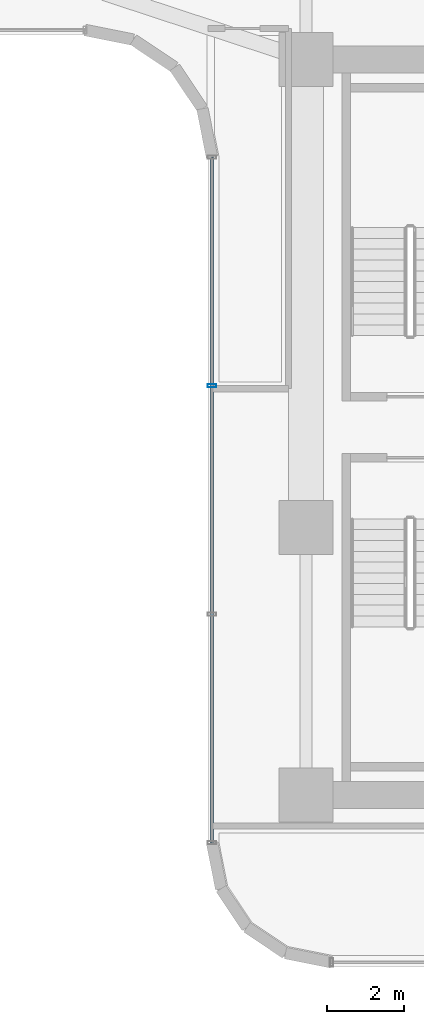
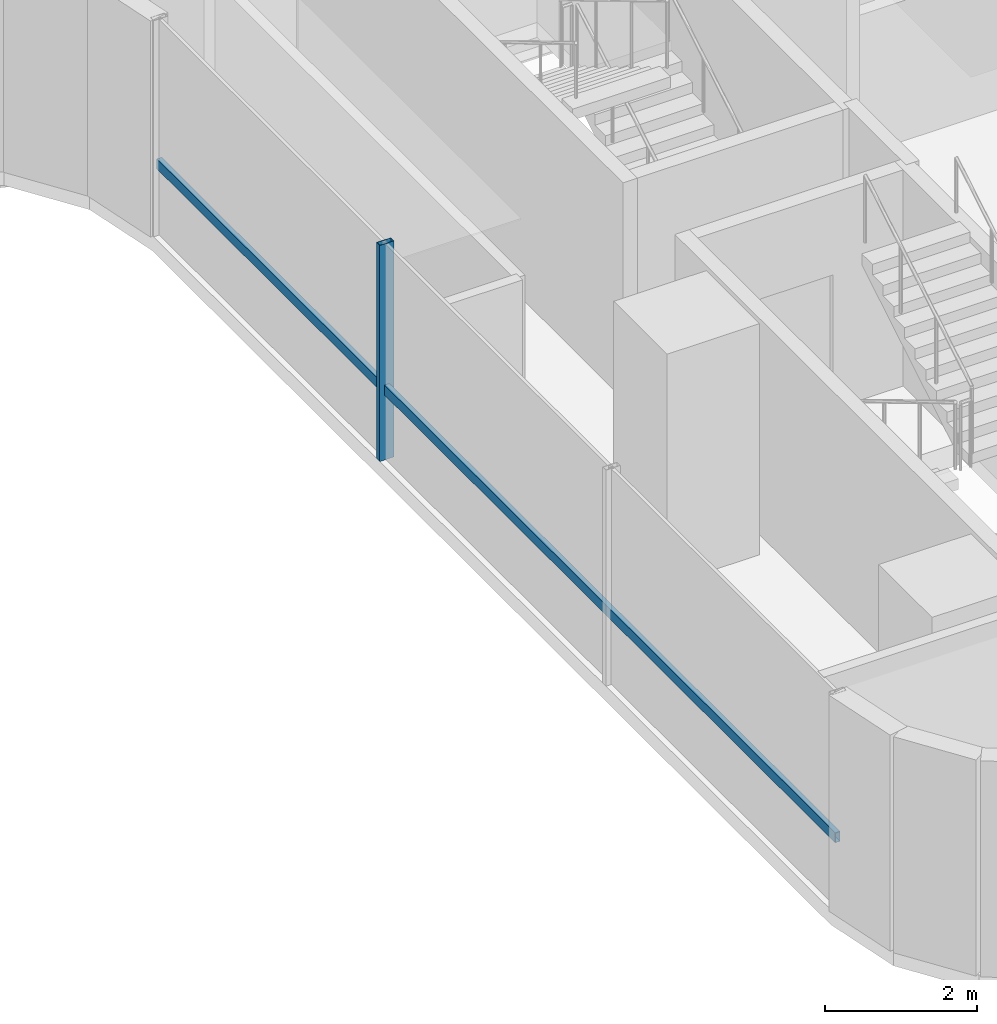
# One storey, part 14 of 41: 2 members, 1 element without a shape of its own.
"""IFC4 building model written with IfcOpenShell, lengths in metres."""

from ifc_helpers import new_model, si_unit, direction, frame, origin, origin_2d, place, context, subcontext, project, spatial, hollow_rectangle, extrude, source, transform, mapped, material, material_profile, profile_set, type_object, element, aggregate, save


model = new_model("IFC4")

# Units and contexts
model_context = context("Model", 3, precision=1e-05, world=origin(), true_north=direction((0.0, 1.0)))
body_context = subcontext(model_context, "Body", "Model", "MODEL_VIEW")
ifc_project = project(units=[si_unit("LENGTHUNIT", "METRE"), si_unit("AREAUNIT", "SQUARE_METRE"), si_unit("VOLUMEUNIT", "CUBIC_METRE"), si_unit("PLANEANGLEUNIT", "RADIAN"), si_unit("MASSUNIT", "GRAM", prefix="KILO")], contexts=[model_context])

# Site, building, storey
site_placement = place(None, origin())
site = spatial("IfcSite", under=ifc_project, at=site_placement, CompositionType="ELEMENT")
building_placement = place(site_placement, origin())
building = spatial("IfcBuilding", under=site, at=building_placement, Name="Valdorenza Pilgrim Sanctuary Tower", CompositionType="ELEMENT")
storey_placement = place(building_placement, frame((0.0, 0.0, 63.0)))
storey = spatial("IfcBuildingStorey", under=building, at=storey_placement, Name="L15", CompositionType="ELEMENT", Elevation=63.0)

# Curtain wall, members
ifc_material_1 = material(Name="Curtain-wall IGU glazing", Category="glass")
curtain_wall_type = type_object("IfcCurtainWallType", Name="CW-SYS-03", PredefinedType="NOTDEFINED", material=ifc_material_1)
curtain_wall_placement = place(storey_placement, origin())
curtain_wall = element("IfcCurtainWall", 1, at=curtain_wall_placement, inside=storey, type_object=curtain_wall_type, Name="L15 Curtain Wall CW-L15-1-31", PredefinedType="NOTDEFINED")
ifc_material_2 = material(Name="Anodised aluminium AW-6060", Category="aluminium")
ifc_material_profile_1 = material_profile(ifc_material_2, hollow_rectangle(XDim=0.0849609375, YDim=0.219970703125, WallThickness=0.0048828125, at=origin_2d()), Name="ALU-M 220x85x5")
ifc_profile_set_1 = profile_set([ifc_material_profile_1], Name="Anodised aluminium AW-6060")
member_type_1 = type_object("IfcMemberType", Name="CW-MUL-03", PredefinedType="MULLION", material=ifc_profile_set_1)
shared_shape_1 = source(origin(), body_context, "Body", "SweptSolid", [
    extrude(hollow_rectangle(XDim=0.0849609375, YDim=0.219970703125, WallThickness=0.0048828125, at=origin_2d()), origin(), (0.0, 0.0, 1.0), 3.4599609375),
])
member_1_placement = place(storey_placement, frame((13.409912109375, 1.077392578125, 0.0), z_axis=(0.0, 0.0, 1.0), x_axis=(0.0, 1.0, 0.0)))
member_1 = element("IfcMember", 2, at=member_1_placement, type_object=member_type_1, Name="CW-L15-1-31 Mullion 3", PredefinedType="MULLION", context=body_context, shape_type="MappedRepresentation", body=[
    mapped(shared_shape_1, transform((0.0, 0.0, 0.0), x_axis=(1.0, 0.0, 0.0), y_axis=(0.0, 1.0, 0.0), z_axis=(0.0, 0.0, 1.0), scale=1.0)),
])
ifc_material_profile_2 = material_profile(ifc_material_2, hollow_rectangle(XDim=0.074951171875, YDim=0.159912109375, WallThickness=0.00390625, at=origin_2d()), Name="ALU-T 160x75x4")
ifc_profile_set_2 = profile_set([ifc_material_profile_2], Name="Anodised aluminium AW-6060")
member_type_2 = type_object("IfcMemberType", Name="CW-TRN-03", PredefinedType="USERDEFINED", material=ifc_profile_set_2)
shared_shape_2 = source(origin(), body_context, "Body", "SweptSolid", [
    extrude(hollow_rectangle(XDim=0.074951171875, YDim=0.159912109375, WallThickness=0.00390625, at=origin_2d()), origin(), (0.0, 0.0, 1.0), 17.800048828125),
])
member_2_placement = place(storey_placement, frame((13.409912109375, -10.789306640625, 1.1201171875), z_axis=(0.0, 1.0, 0.0), x_axis=(-1.0, 0.0, 0.0)))
member_2 = element("IfcMember", 3, at=member_2_placement, type_object=member_type_2, Name="CW-L15-1-31 Transom 1", ObjectType="TRANSOM", PredefinedType="USERDEFINED", context=body_context, shape_type="MappedRepresentation", body=[
    mapped(shared_shape_2, transform((0.0, 0.0, 0.0), x_axis=(1.0, 0.0, 0.0), y_axis=(0.0, 1.0, 0.0), z_axis=(0.0, 0.0, 1.0), scale=1.0)),
])
aggregate(curtain_wall, [member_1, member_2])

save(model, "model.ifc")
